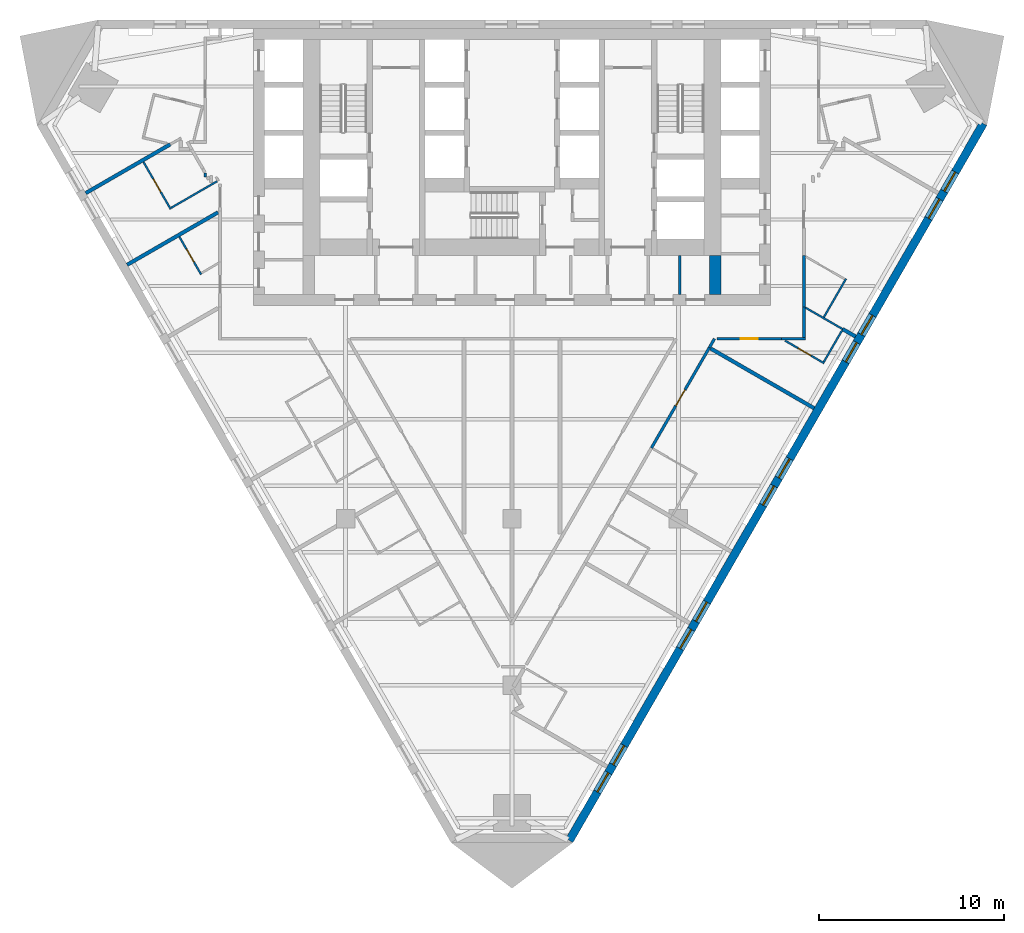
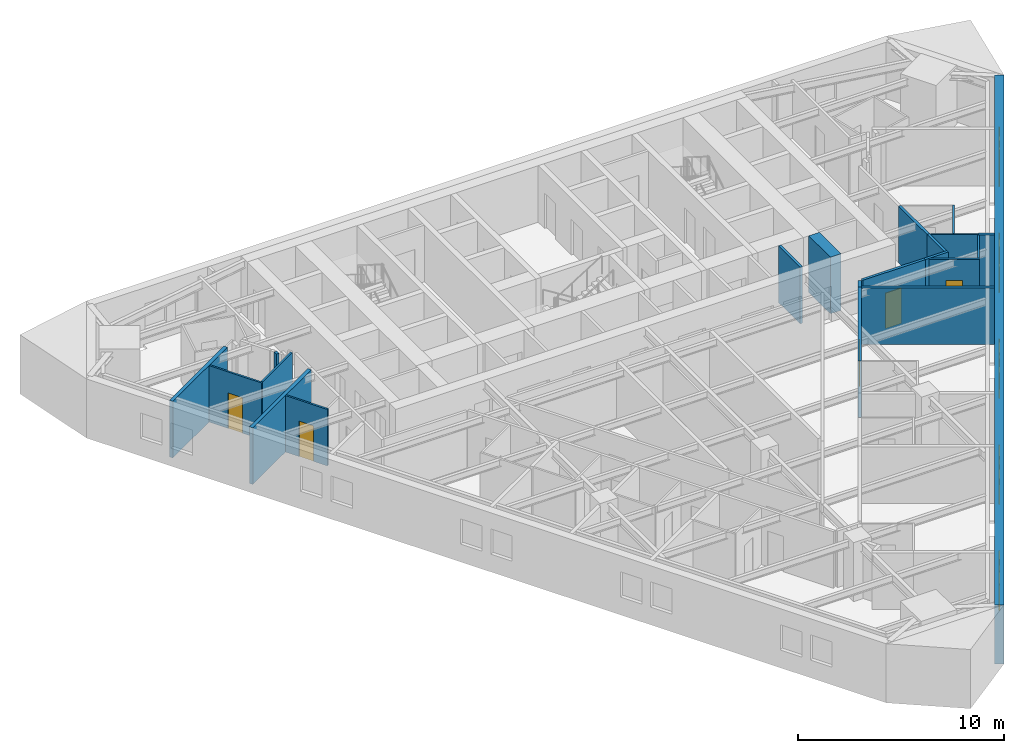
# One storey, part 5 of 10: 21 walls, 10 windows, 5 doors, 15 openings.
"""IFC4 building model written with IfcOpenShell, lengths in metres."""

from ifc_helpers import new_model, si_unit, direction, frame, frame_2d, origin, place, context, subcontext, project, spatial, polyline, rectangle, outline, extrude, material, layer, layer_set, type_object, element, fill, save


model = new_model("IFC4")

# Units and contexts
model_context = context("Model", 3, precision=1e-05, world=origin(), true_north=direction((0.0, 1.0)))
body_context = subcontext(model_context, "Body", "Model", "MODEL_VIEW")
ifc_project = project(units=[si_unit("LENGTHUNIT", "METRE"), si_unit("AREAUNIT", "SQUARE_METRE"), si_unit("VOLUMEUNIT", "CUBIC_METRE"), si_unit("PLANEANGLEUNIT", "RADIAN"), si_unit("MASSUNIT", "GRAM", prefix="KILO")], contexts=[model_context])

# Site, building, storey
site_placement = place(None, origin())
site = spatial("IfcSite", under=ifc_project, at=site_placement, CompositionType="ELEMENT")
building_placement = place(site_placement, origin())
building = spatial("IfcBuilding", under=site, at=building_placement, Name="Aloe Facet Convention Tower", CompositionType="ELEMENT")
storey_placement = place(building_placement, frame((0.0, 0.0, 59.5)))
storey = spatial("IfcBuildingStorey", under=building, at=storey_placement, Name="L13", CompositionType="ELEMENT", Elevation=59.5)

# Walls
ifc_material_1 = material(Name="Concrete blockwork partition", Category="masonry")
ifc_layer_1 = layer(ifc_material_1, 0.14990234375)
ifc_layer_set_1 = layer_set([ifc_layer_1], Name="CR-W-PART150")
wall_type_1 = type_object("IfcWallType", Name="CR-W-PART150", PredefinedType="PARTITIONING", material=ifc_layer_set_1)
wall_1_placement = place(storey_placement, frame((89.074951171875, 122.25, 0.0), z_axis=(0.0, 0.0, 1.0), x_axis=(0.0, -1.0, 0.0)))
element("IfcWall", 1, at=wall_1_placement, inside=storey, type_object=wall_type_1, Name="Core partition L13-046", PredefinedType="PARTITIONING", context=body_context, shape_type="SweptSolid", body=[
    extrude(rectangle(XDim=2.10009765625, YDim=0.14990234375, at=frame_2d((1.050048828125, 0.0))), origin(), (0.0, 0.0, 1.0), 3.35009765625),
])
ifc_material_2 = material(Name="Concrete C80/95", Category="concrete")
ifc_layer_2 = layer(ifc_material_2, 0.60009765625)
ifc_layer_set_2 = layer_set([ifc_layer_2], Name="CR-W-RC600-C8095")
wall_type_2 = type_object("IfcWallType", Name="CR-W-RC600-C8095", PredefinedType="SOLIDWALL", material=ifc_layer_set_2)
wall_2_placement = place(storey_placement, frame((91.0, 122.25, 0.0), z_axis=(0.0, 0.0, 1.0), x_axis=(0.0, -1.0, 0.0)))
element("IfcWall", 2, at=wall_2_placement, inside=storey, type_object=wall_type_2, Name="Core wall L13-048", PredefinedType="SOLIDWALL", context=body_context, shape_type="SweptSolid", body=[
    extrude(rectangle(XDim=2.10009765625, YDim=0.60009765625, at=frame_2d((1.050048828125, 0.0))), origin(), (0.0, 0.0, 1.0), 3.35009765625),
])

# Wall, openings, windows
ifc_material_3 = material(Name="Precast concrete C40/50", Category="concrete")
ifc_layer_3 = layer(ifc_material_3, 0.449951171875)
ifc_layer_set_3 = layer_set([ifc_layer_3], Name="EV-WALL-STONE")
wall_type_3 = type_object("IfcWallType", Name="EV-WALL-STONE", PredefinedType="SOLIDWALL", material=ifc_layer_set_3)
wall_3_placement = place(storey_placement, frame((83.105224609375, 90.598876953125, -0.14990234375), z_axis=(0.0, 0.0, 1.0), x_axis=(0.499999201451, 0.866025864826, 0.0)))
wall_3 = element("IfcWall", 3, at=wall_3_placement, inside=storey, type_object=wall_type_3, Name="EW-L13-E01", PredefinedType="SOLIDWALL", context=body_context, shape_type="SweptSolid", body=[
    extrude(outline(polyline([(44.800048828125, 0.0), (44.800048828125, 3.5), (0.0, 3.5), (0.0, 0.0), (44.800048828125, 0.0)])), frame((0.0, 0.22509765625, 0.0), z_axis=(0.0, -1.0, 0.0), x_axis=(1.0, 0.0, 0.0)), (0.0, 0.0, 1.0), 0.449951171875),
])
opening_1_placement = place(wall_3_placement, frame((3.030029296875, 0.0, 1.050048828125)))
opening_1 = element("IfcOpeningElement", 4, at=opening_1_placement, cuts=wall_3, Name="Opening W-L13-E01", PredefinedType="OPENING", context=body_context, shape_type="SweptSolid", body=[
    extrude(rectangle(XDim=1.199951171875, YDim=1.5, at=frame_2d((0.60009765625, 0.75))), frame((0.0, 0.23486328125, 0.0), z_axis=(0.0, -1.0, 0.0), x_axis=(1.0, 0.0, 0.0)), (0.0, 0.0, 1.0), 0.469970703125),
])
opening_2_placement = place(wall_3_placement, frame((4.72998046875, 0.0, 1.050048828125)))
opening_2 = element("IfcOpeningElement", 5, at=opening_2_placement, cuts=wall_3, Name="Opening W-L13-E02", PredefinedType="OPENING", context=body_context, shape_type="SweptSolid", body=[
    extrude(rectangle(XDim=1.199951171875, YDim=1.5, at=frame_2d((0.60009765625, 0.75))), frame((0.0, 0.23486328125, 0.0), z_axis=(0.0, -1.0, 0.0), x_axis=(1.0, 0.0, 0.0)), (0.0, 0.0, 1.0), 0.469970703125),
])
opening_3_placement = place(wall_3_placement, frame((11.989990234375, 0.0, 1.050048828125)))
opening_3 = element("IfcOpeningElement", 6, at=opening_3_placement, cuts=wall_3, Name="Opening W-L13-E03", PredefinedType="OPENING", context=body_context, shape_type="SweptSolid", body=[
    extrude(rectangle(XDim=1.199951171875, YDim=1.5, at=frame_2d((0.60009765625, 0.75))), frame((0.0, 0.23486328125, 0.0), z_axis=(0.0, -1.0, 0.0), x_axis=(1.0, 0.0, 0.0)), (0.0, 0.0, 1.0), 0.469970703125),
])
opening_4_placement = place(wall_3_placement, frame((13.68994140625, 0.0, 1.050048828125)))
opening_4 = element("IfcOpeningElement", 7, at=opening_4_placement, cuts=wall_3, Name="Opening W-L13-E04", PredefinedType="OPENING", context=body_context, shape_type="SweptSolid", body=[
    extrude(rectangle(XDim=1.199951171875, YDim=1.5, at=frame_2d((0.60009765625, 0.75))), frame((0.0, 0.23486328125, 0.0), z_axis=(0.0, -1.0, 0.0), x_axis=(1.0, 0.0, 0.0)), (0.0, 0.0, 1.0), 0.469970703125),
])
opening_5_placement = place(wall_3_placement, frame((20.949951171875, 0.0, 1.050048828125)))
opening_5 = element("IfcOpeningElement", 8, at=opening_5_placement, cuts=wall_3, Name="Opening W-L13-E05", PredefinedType="OPENING", context=body_context, shape_type="SweptSolid", body=[
    extrude(rectangle(XDim=1.199951171875, YDim=1.5, at=frame_2d((0.60009765625, 0.75))), frame((0.0, 0.23486328125, 0.0), z_axis=(0.0, -1.0, 0.0), x_axis=(1.0, 0.0, 0.0)), (0.0, 0.0, 1.0), 0.469970703125),
])
opening_6_placement = place(wall_3_placement, frame((22.64990234375, 0.0, 1.050048828125)))
opening_6 = element("IfcOpeningElement", 9, at=opening_6_placement, cuts=wall_3, Name="Opening W-L13-E06", PredefinedType="OPENING", context=body_context, shape_type="SweptSolid", body=[
    extrude(rectangle(XDim=1.199951171875, YDim=1.5, at=frame_2d((0.60009765625, 0.75))), frame((0.0, 0.23486328125, 0.0), z_axis=(0.0, -1.0, 0.0), x_axis=(1.0, 0.0, 0.0)), (0.0, 0.0, 1.0), 0.469970703125),
])
opening_7_placement = place(wall_3_placement, frame((29.909912109375, 0.0, 1.050048828125)))
opening_7 = element("IfcOpeningElement", 10, at=opening_7_placement, cuts=wall_3, Name="Opening W-L13-E07", PredefinedType="OPENING", context=body_context, shape_type="SweptSolid", body=[
    extrude(rectangle(XDim=1.199951171875, YDim=1.5, at=frame_2d((0.60009765625, 0.75))), frame((0.0, 0.23486328125, 0.0), z_axis=(0.0, -1.0, 0.0), x_axis=(1.0, 0.0, 0.0)), (0.0, 0.0, 1.0), 0.469970703125),
])
opening_8_placement = place(wall_3_placement, frame((31.610107421875, 0.0, 1.050048828125)))
opening_8 = element("IfcOpeningElement", 11, at=opening_8_placement, cuts=wall_3, Name="Opening W-L13-E08", PredefinedType="OPENING", context=body_context, shape_type="SweptSolid", body=[
    extrude(rectangle(XDim=1.199951171875, YDim=1.5, at=frame_2d((0.60009765625, 0.75))), frame((0.0, 0.23486328125, 0.0), z_axis=(0.0, -1.0, 0.0), x_axis=(1.0, 0.0, 0.0)), (0.0, 0.0, 1.0), 0.469970703125),
])
opening_9_placement = place(wall_3_placement, frame((38.8701171875, 0.0, 1.050048828125)))
opening_9 = element("IfcOpeningElement", 12, at=opening_9_placement, cuts=wall_3, Name="Opening W-L13-E09", PredefinedType="OPENING", context=body_context, shape_type="SweptSolid", body=[
    extrude(rectangle(XDim=1.199951171875, YDim=1.5, at=frame_2d((0.60009765625, 0.75))), frame((0.0, 0.23486328125, 0.0), z_axis=(0.0, -1.0, 0.0), x_axis=(1.0, 0.0, 0.0)), (0.0, 0.0, 1.0), 0.469970703125),
])
opening_10_placement = place(wall_3_placement, frame((40.570068359375, 0.0, 1.050048828125)))
opening_10 = element("IfcOpeningElement", 13, at=opening_10_placement, cuts=wall_3, Name="Opening W-L13-E10", PredefinedType="OPENING", context=body_context, shape_type="SweptSolid", body=[
    extrude(rectangle(XDim=1.199951171875, YDim=1.5, at=frame_2d((0.60009765625, 0.75))), frame((0.0, 0.23486328125, 0.0), z_axis=(0.0, -1.0, 0.0), x_axis=(1.0, 0.0, 0.0)), (0.0, 0.0, 1.0), 0.469970703125),
])
ifc_material_4 = material(Name="Aluminium frame, clear double glazing", Category="aluminium")
window_type = type_object("IfcWindowType", Name="EV-WIN-H12", PartitioningType="SINGLE_PANEL", PredefinedType="WINDOW", material=ifc_material_4)
window_1_placement = place(opening_1_placement, origin())
window_1 = element("IfcWindow", 14, at=window_1_placement, inside=storey, type_object=window_type, Name="W-L13-E01", OverallHeight=1.5, OverallWidth=1.199951171875, PartitioningType="SINGLE_PANEL", PredefinedType="WINDOW", context=body_context, shape_type="SweptSolid", body=[
    extrude(rectangle(XDim=1.199951171875, YDim=1.5, at=frame_2d((0.60009765625, 0.75))), frame((0.0, 0.030029296875, 0.0), z_axis=(0.0, -1.0, 0.0), x_axis=(1.0, 0.0, 0.0)), (0.0, 0.0, 1.0), 0.06005859375),
])
fill(opening_1, window_1)
window_2_placement = place(opening_2_placement, origin())
window_2 = element("IfcWindow", 15, at=window_2_placement, inside=storey, type_object=window_type, Name="W-L13-E02", OverallHeight=1.5, OverallWidth=1.199951171875, PartitioningType="SINGLE_PANEL", PredefinedType="WINDOW", context=body_context, shape_type="SweptSolid", body=[
    extrude(rectangle(XDim=1.199951171875, YDim=1.5, at=frame_2d((0.60009765625, 0.75))), frame((0.0, 0.030029296875, 0.0), z_axis=(0.0, -1.0, 0.0), x_axis=(1.0, 0.0, 0.0)), (0.0, 0.0, 1.0), 0.06005859375),
])
fill(opening_2, window_2)
window_3_placement = place(opening_3_placement, origin())
window_3 = element("IfcWindow", 16, at=window_3_placement, inside=storey, type_object=window_type, Name="W-L13-E03", OverallHeight=1.5, OverallWidth=1.199951171875, PartitioningType="SINGLE_PANEL", PredefinedType="WINDOW", context=body_context, shape_type="SweptSolid", body=[
    extrude(rectangle(XDim=1.199951171875, YDim=1.5, at=frame_2d((0.60009765625, 0.75))), frame((0.0, 0.030029296875, 0.0), z_axis=(0.0, -1.0, 0.0), x_axis=(1.0, 0.0, 0.0)), (0.0, 0.0, 1.0), 0.06005859375),
])
fill(opening_3, window_3)
window_4_placement = place(opening_4_placement, origin())
window_4 = element("IfcWindow", 17, at=window_4_placement, inside=storey, type_object=window_type, Name="W-L13-E04", OverallHeight=1.5, OverallWidth=1.199951171875, PartitioningType="SINGLE_PANEL", PredefinedType="WINDOW", context=body_context, shape_type="SweptSolid", body=[
    extrude(rectangle(XDim=1.199951171875, YDim=1.5, at=frame_2d((0.60009765625, 0.75))), frame((0.0, 0.030029296875, 0.0), z_axis=(0.0, -1.0, 0.0), x_axis=(1.0, 0.0, 0.0)), (0.0, 0.0, 1.0), 0.06005859375),
])
fill(opening_4, window_4)
window_5_placement = place(opening_5_placement, origin())
window_5 = element("IfcWindow", 18, at=window_5_placement, inside=storey, type_object=window_type, Name="W-L13-E05", OverallHeight=1.5, OverallWidth=1.199951171875, PartitioningType="SINGLE_PANEL", PredefinedType="WINDOW", context=body_context, shape_type="SweptSolid", body=[
    extrude(rectangle(XDim=1.199951171875, YDim=1.5, at=frame_2d((0.60009765625, 0.75))), frame((0.0, 0.030029296875, 0.0), z_axis=(0.0, -1.0, 0.0), x_axis=(1.0, 0.0, 0.0)), (0.0, 0.0, 1.0), 0.06005859375),
])
fill(opening_5, window_5)
window_6_placement = place(opening_6_placement, origin())
window_6 = element("IfcWindow", 19, at=window_6_placement, inside=storey, type_object=window_type, Name="W-L13-E06", OverallHeight=1.5, OverallWidth=1.199951171875, PartitioningType="SINGLE_PANEL", PredefinedType="WINDOW", context=body_context, shape_type="SweptSolid", body=[
    extrude(rectangle(XDim=1.199951171875, YDim=1.5, at=frame_2d((0.60009765625, 0.75))), frame((0.0, 0.030029296875, 0.0), z_axis=(0.0, -1.0, 0.0), x_axis=(1.0, 0.0, 0.0)), (0.0, 0.0, 1.0), 0.06005859375),
])
fill(opening_6, window_6)
window_7_placement = place(opening_7_placement, origin())
window_7 = element("IfcWindow", 20, at=window_7_placement, inside=storey, type_object=window_type, Name="W-L13-E07", OverallHeight=1.5, OverallWidth=1.199951171875, PartitioningType="SINGLE_PANEL", PredefinedType="WINDOW", context=body_context, shape_type="SweptSolid", body=[
    extrude(rectangle(XDim=1.199951171875, YDim=1.5, at=frame_2d((0.60009765625, 0.75))), frame((0.0, 0.030029296875, 0.0), z_axis=(0.0, -1.0, 0.0), x_axis=(1.0, 0.0, 0.0)), (0.0, 0.0, 1.0), 0.06005859375),
])
fill(opening_7, window_7)
window_8_placement = place(opening_8_placement, origin())
window_8 = element("IfcWindow", 21, at=window_8_placement, inside=storey, type_object=window_type, Name="W-L13-E08", OverallHeight=1.5, OverallWidth=1.199951171875, PartitioningType="SINGLE_PANEL", PredefinedType="WINDOW", context=body_context, shape_type="SweptSolid", body=[
    extrude(rectangle(XDim=1.199951171875, YDim=1.5, at=frame_2d((0.60009765625, 0.75))), frame((0.0, 0.030029296875, 0.0), z_axis=(0.0, -1.0, 0.0), x_axis=(1.0, 0.0, 0.0)), (0.0, 0.0, 1.0), 0.06005859375),
])
fill(opening_8, window_8)
window_9_placement = place(opening_9_placement, origin())
window_9 = element("IfcWindow", 22, at=window_9_placement, inside=storey, type_object=window_type, Name="W-L13-E09", OverallHeight=1.5, OverallWidth=1.199951171875, PartitioningType="SINGLE_PANEL", PredefinedType="WINDOW", context=body_context, shape_type="SweptSolid", body=[
    extrude(rectangle(XDim=1.199951171875, YDim=1.5, at=frame_2d((0.60009765625, 0.75))), frame((0.0, 0.030029296875, 0.0), z_axis=(0.0, -1.0, 0.0), x_axis=(1.0, 0.0, 0.0)), (0.0, 0.0, 1.0), 0.06005859375),
])
fill(opening_9, window_9)
window_10_placement = place(opening_10_placement, origin())
window_10 = element("IfcWindow", 23, at=window_10_placement, inside=storey, type_object=window_type, Name="W-L13-E10", OverallHeight=1.5, OverallWidth=1.199951171875, PartitioningType="SINGLE_PANEL", PredefinedType="WINDOW", context=body_context, shape_type="SweptSolid", body=[
    extrude(rectangle(XDim=1.199951171875, YDim=1.5, at=frame_2d((0.60009765625, 0.75))), frame((0.0, 0.030029296875, 0.0), z_axis=(0.0, -1.0, 0.0), x_axis=(1.0, 0.0, 0.0)), (0.0, 0.0, 1.0), 0.06005859375),
])
fill(opening_10, window_10)

# Wall, opening, door
ifc_material_5 = material(Name="Gypsum board partition on steel studs", Category="steel")
ifc_layer_4 = layer(ifc_material_5, 0.14990234375)
ifc_layer_set_4 = layer_set([ifc_layer_4], Name="IN-W-CORR")
wall_type_4 = type_object("IfcWallType", Name="IN-W-CORR", PredefinedType="PARTITIONING", material=ifc_layer_set_4)
wall_4_placement = place(storey_placement, frame((87.5478515625, 111.84375, 0.0), z_axis=(0.0, 0.0, 1.0), x_axis=(0.499981277565, 0.866036212918, 0.0)))
wall_4 = element("IfcWall", 24, at=wall_4_placement, inside=storey, type_object=wall_type_4, Name="Partition L13-W059", PredefinedType="PARTITIONING", context=body_context, shape_type="SweptSolid", body=[
    extrude(rectangle(XDim=6.260009765625, YDim=0.14990234375, at=frame_2d((3.1298828125, 0.0))), origin(), (0.0, 0.0, 1.0), 3.35009765625),
])
opening_11_placement = place(wall_4_placement, frame((2.6298828125, 0.0, 0.0)))
opening_11 = element("IfcOpeningElement", 25, at=opening_11_placement, cuts=wall_4, Name="Opening L13-011", PredefinedType="OPENING", context=body_context, shape_type="SweptSolid", body=[
    extrude(rectangle(XDim=1.0, YDim=2.10009765625, at=frame_2d((0.5, 1.050048828125))), frame((0.0, 0.0849609375, 0.0), z_axis=(0.0, -1.0, 0.0), x_axis=(1.0, 0.0, 0.0)), (0.0, 0.0, 1.0), 0.169921875),
])
ifc_material_6 = material(Name="Hardwood flush door FD30S", Category="wood")
door_type_1 = type_object("IfcDoorType", Name="IN-D-WIDE", OperationType="SINGLE_SWING_LEFT", PredefinedType="DOOR", material=ifc_material_6)
door_1_placement = place(opening_11_placement, origin())
door_1 = element("IfcDoor", 26, at=door_1_placement, inside=storey, type_object=door_type_1, Name="Door L13-011", OperationType="SINGLE_SWING_LEFT", OverallHeight=2.10009765625, OverallWidth=1.0, PredefinedType="DOOR", context=body_context, shape_type="SweptSolid", body=[
    extrude(rectangle(XDim=1.0, YDim=2.10009765625, at=frame_2d((0.5, 1.050048828125))), frame((0.0, 0.02490234375, 0.0), z_axis=(0.0, -1.0, 0.0), x_axis=(1.0, 0.0, 0.0)), (0.0, 0.0, 1.0), 0.050048828125),
])
fill(opening_11, door_1)

# Walls
wall_5_placement = place(storey_placement, frame((90.677734375, 117.26513671875, 0.0), z_axis=(0.0, 0.0, 1.0), x_axis=(0.50012503653, 0.865953201874, 0.0)))
element("IfcWall", 27, at=wall_5_placement, inside=storey, type_object=wall_type_4, Name="Partition L13-W067", PredefinedType="PARTITIONING", context=body_context, shape_type="SweptSolid", body=[
    extrude(rectangle(XDim=0.559814453125, YDim=0.14990234375, at=frame_2d((0.27978515625, 0.0))), origin(), (0.0, 0.0, 1.0), 3.35009765625),
])
wall_6_placement = place(storey_placement, frame((94.597900390625, 117.75, 0.0), z_axis=(0.0, 0.0, 1.0), x_axis=(1.0, 0.0, 0.0)))
element("IfcWall", 28, at=wall_6_placement, inside=storey, type_object=wall_type_4, Name="Partition L13-W068", PredefinedType="PARTITIONING", context=body_context, shape_type="SweptSolid", body=[
    extrude(rectangle(XDim=1.277099609375, YDim=0.14990234375, at=frame_2d((0.638671875, 0.0))), origin(), (0.0, 0.0, 1.0), 3.35009765625),
])

# Wall, opening, door
wall_7_placement = place(storey_placement, frame((91.087646484375, 117.75, 0.0), z_axis=(0.0, 0.0, 1.0), x_axis=(1.0, 0.0, 0.0)))
wall_7 = element("IfcWall", 29, at=wall_7_placement, inside=storey, type_object=wall_type_4, Name="Partition L13-W069", PredefinedType="PARTITIONING", context=body_context, shape_type="SweptSolid", body=[
    extrude(rectangle(XDim=3.51025390625, YDim=0.14990234375, at=frame_2d((1.755126953125, 0.0))), origin(), (0.0, 0.0, 1.0), 3.35009765625),
])
opening_12_placement = place(wall_7_placement, frame((1.30517578125, 0.0, 0.0)))
opening_12 = element("IfcOpeningElement", 30, at=opening_12_placement, cuts=wall_7, Name="Opening L13-012", PredefinedType="OPENING", context=body_context, shape_type="SweptSolid", body=[
    extrude(rectangle(XDim=0.89990234375, YDim=2.10009765625, at=frame_2d((0.449951171875, 1.050048828125))), frame((0.0, 0.0849609375, 0.0), z_axis=(0.0, -1.0, 0.0), x_axis=(1.0, 0.0, 0.0)), (0.0, 0.0, 1.0), 0.169921875),
])
ifc_material_7 = material(Name="Hardwood flush door FD30S", Category="wood")
door_type_2 = type_object("IfcDoorType", Name="IN-D-GUEST", OperationType="SINGLE_SWING_LEFT", PredefinedType="DOOR", material=ifc_material_7)
door_2_placement = place(opening_12_placement, origin())
door_2 = element("IfcDoor", 31, at=door_2_placement, inside=storey, type_object=door_type_2, Name="Door L13-012", OperationType="SINGLE_SWING_LEFT", OverallHeight=2.10009765625, OverallWidth=0.89990234375, PredefinedType="DOOR", context=body_context, shape_type="SweptSolid", body=[
    extrude(rectangle(XDim=0.89990234375, YDim=2.10009765625, at=frame_2d((0.449951171875, 1.050048828125))), frame((0.0, 0.02490234375, 0.0), z_axis=(0.0, -1.0, 0.0), x_axis=(1.0, 0.0, 0.0)), (0.0, 0.0, 1.0), 0.050048828125),
])
fill(opening_12, door_2)

# Walls
wall_8_placement = place(storey_placement, frame((95.800048828125, 117.824951171875, 0.0), z_axis=(0.0, 0.0, 1.0), x_axis=(0.0, 1.0, 0.0)))
element("IfcWall", 32, at=wall_8_placement, inside=storey, type_object=wall_type_4, Name="Partition L13-W070", PredefinedType="PARTITIONING", context=body_context, shape_type="SweptSolid", body=[
    extrude(rectangle(XDim=1.65576171875, YDim=0.14990234375, at=frame_2d((0.827880859375, 0.0))), origin(), (0.0, 0.0, 1.0), 3.35009765625),
])
wall_9_placement = place(storey_placement, frame((95.800048828125, 119.480712890625, 0.0), z_axis=(0.0, 0.0, 1.0), x_axis=(0.0, 1.0, 0.0)))
element("IfcWall", 33, at=wall_9_placement, inside=storey, type_object=wall_type_4, Name="Partition L13-W080", PredefinedType="PARTITIONING", context=body_context, shape_type="SweptSolid", body=[
    extrude(rectangle(XDim=2.771484375, YDim=0.14990234375, at=frame_2d((1.3857421875, 0.0))), origin(), (0.0, 0.0, 1.0), 3.35009765625),
])
wall_10_placement = place(storey_placement, frame((63.39990234375, 126.5, 0.0), z_axis=(0.0, 0.0, 1.0), x_axis=(0.0, 1.0, 0.0)))
element("IfcWall", 34, at=wall_10_placement, inside=storey, type_object=wall_type_4, Name="Partition L13-W107", PredefinedType="PARTITIONING", context=body_context, shape_type="SweptSolid", body=[
    extrude(rectangle(XDim=0.220458984375, YDim=0.14990234375, at=frame_2d((0.1103515625, 0.0))), origin(), (0.0, 0.0, 1.0), 3.35009765625),
])

# Wall, opening, door
ifc_material_8 = material(Name="Gypsum board partition on steel studs", Category="steel")
ifc_layer_5 = layer(ifc_material_8, 0.10009765625)
ifc_layer_set_5 = layer_set([ifc_layer_5], Name="IN-W-PART")
wall_type_5 = type_object("IfcWallType", Name="IN-W-PART", PredefinedType="PARTITIONING", material=ifc_layer_set_5)
wall_11_placement = place(storey_placement, frame((94.775390625, 117.6474609375, 0.0), z_axis=(0.0, 0.0, 1.0), x_axis=(0.86604092097, -0.499973122483, 0.0)))
wall_11 = element("IfcWall", 35, at=wall_11_placement, inside=storey, type_object=wall_type_5, Name="Partition L13-W058", PredefinedType="PARTITIONING", context=body_context, shape_type="SweptSolid", body=[
    extrude(rectangle(XDim=2.445068359375, YDim=0.10009765625, at=frame_2d((1.22265625, 0.0))), origin(), (0.0, 0.0, 1.0), 3.35009765625),
])
opening_13_placement = place(wall_11_placement, frame((0.822509765625, 0.0, 0.0)))
opening_13 = element("IfcOpeningElement", 36, at=opening_13_placement, cuts=wall_11, Name="Opening L13-029", PredefinedType="OPENING", context=body_context, shape_type="SweptSolid", body=[
    extrude(rectangle(XDim=0.800048828125, YDim=2.10009765625, at=frame_2d((0.39990234375, 1.050048828125))), frame((0.0, 0.06005859375, 0.0), z_axis=(0.0, -1.0, 0.0), x_axis=(1.0, 0.0, 0.0)), (0.0, 0.0, 1.0), 0.1201171875),
])
ifc_material_9 = material(Name="Timber flush door", Category="wood")
door_type_3 = type_object("IfcDoorType", Name="IN-D-BATH", OperationType="SINGLE_SWING_LEFT", PredefinedType="DOOR", material=ifc_material_9)
door_3_placement = place(opening_13_placement, origin())
door_3 = element("IfcDoor", 37, at=door_3_placement, inside=storey, type_object=door_type_3, Name="Door L13-029", OperationType="SINGLE_SWING_LEFT", OverallHeight=2.10009765625, OverallWidth=0.800048828125, PredefinedType="DOOR", context=body_context, shape_type="SweptSolid", body=[
    extrude(rectangle(XDim=0.800048828125, YDim=2.10009765625, at=frame_2d((0.39990234375, 1.050048828125))), frame((0.0, 0.02490234375, 0.0), z_axis=(0.0, -1.0, 0.0), x_axis=(1.0, 0.0, 0.0)), (0.0, 0.0, 1.0), 0.050048828125),
])
fill(opening_13, door_3)

# Walls
wall_12_placement = place(storey_placement, frame((96.87451171875, 116.493408203125, 0.0), z_axis=(0.0, 0.0, 1.0), x_axis=(0.500043961785, 0.866000020948, 0.0)))
element("IfcWall", 38, at=wall_12_placement, inside=storey, type_object=wall_type_5, Name="Partition L13-W073", PredefinedType="PARTITIONING", context=body_context, shape_type="SweptSolid", body=[
    extrude(rectangle(XDim=1.949951171875, YDim=0.10009765625, at=frame_2d((0.97509765625, 0.0))), origin(), (0.0, 0.0, 1.0), 3.35009765625),
])
wall_13_placement = place(storey_placement, frame((95.88232421875, 119.433349609375, 0.0), z_axis=(0.0, 0.0, 1.0), x_axis=(0.866009305107, -0.50002788269, 0.0)))
element("IfcWall", 39, at=wall_13_placement, inside=storey, type_object=wall_type_5, Name="Partition L13-W077", PredefinedType="PARTITIONING", context=body_context, shape_type="SweptSolid", body=[
    extrude(rectangle(XDim=2.329345703125, YDim=0.10009765625, at=frame_2d((1.16455078125, 0.0))), origin(), (0.0, 0.0, 1.0), 3.35009765625),
])
wall_14_placement = place(storey_placement, frame((96.876708984375, 118.9169921875, 0.0), z_axis=(0.0, 0.0, 1.0), x_axis=(0.500001309137, 0.866024647952, 0.0)))
element("IfcWall", 40, at=wall_14_placement, inside=storey, type_object=wall_type_5, Name="Partition L13-W081", PredefinedType="PARTITIONING", context=body_context, shape_type="SweptSolid", body=[
    extrude(rectangle(XDim=2.39990234375, YDim=0.10009765625, at=frame_2d((1.199951171875, 0.0))), origin(), (0.0, 0.0, 1.0), 3.35009765625),
])

# Wall, opening, door
wall_15_placement = place(storey_placement, frame((61.998291015625, 123.267333984375, 0.0), z_axis=(0.0, 0.0, 1.0), x_axis=(0.500016218704, -0.866016039709, 0.0)))
wall_15 = element("IfcWall", 41, at=wall_15_placement, inside=storey, type_object=wall_type_5, Name="Partition L13-W082", PredefinedType="PARTITIONING", context=body_context, shape_type="SweptSolid", body=[
    extrude(rectangle(XDim=2.35009765625, YDim=0.10009765625, at=frame_2d((1.175048828125, 0.0))), origin(), (0.0, 0.0, 1.0), 3.35009765625),
])
opening_14_placement = place(wall_15_placement, frame((0.77490234375, 0.0, 0.0)))
opening_14 = element("IfcOpeningElement", 42, at=opening_14_placement, cuts=wall_15, Name="Opening L13-021", PredefinedType="OPENING", context=body_context, shape_type="SweptSolid", body=[
    extrude(rectangle(XDim=0.800048828125, YDim=2.10009765625, at=frame_2d((0.39990234375, 1.050048828125))), frame((0.0, 0.06005859375, 0.0), z_axis=(0.0, -1.0, 0.0), x_axis=(1.0, 0.0, 0.0)), (0.0, 0.0, 1.0), 0.1201171875),
])
door_4_placement = place(opening_14_placement, origin())
door_4 = element("IfcDoor", 43, at=door_4_placement, inside=storey, type_object=door_type_3, Name="Door L13-021", OperationType="SINGLE_SWING_LEFT", OverallHeight=2.10009765625, OverallWidth=0.800048828125, PredefinedType="DOOR", context=body_context, shape_type="SweptSolid", body=[
    extrude(rectangle(XDim=0.800048828125, YDim=2.10009765625, at=frame_2d((0.39990234375, 1.050048828125))), frame((0.0, 0.02490234375, 0.0), z_axis=(0.0, -1.0, 0.0), x_axis=(1.0, 0.0, 0.0)), (0.0, 0.0, 1.0), 0.050048828125),
])
fill(opening_14, door_4)

wall_16_placement = place(storey_placement, frame((60.05419921875, 127.31787109375, 0.0), z_axis=(0.0, 0.0, 1.0), x_axis=(0.499939757307, -0.866060182126, 0.0)))
wall_16 = element("IfcWall", 44, at=wall_16_placement, inside=storey, type_object=wall_type_5, Name="Partition L13-W091", PredefinedType="PARTITIONING", context=body_context, shape_type="SweptSolid", body=[
    extrude(rectangle(XDim=2.949951171875, YDim=0.10009765625, at=frame_2d((1.47509765625, 0.0))), origin(), (0.0, 0.0, 1.0), 3.35009765625),
])
opening_15_placement = place(wall_16_placement, frame((1.074951171875, 0.0, 0.0)))
opening_15 = element("IfcOpeningElement", 45, at=opening_15_placement, cuts=wall_16, Name="Opening L13-020", PredefinedType="OPENING", context=body_context, shape_type="SweptSolid", body=[
    extrude(rectangle(XDim=0.800048828125, YDim=2.10009765625, at=frame_2d((0.39990234375, 1.050048828125))), frame((0.0, 0.06005859375, 0.0), z_axis=(0.0, -1.0, 0.0), x_axis=(1.0, 0.0, 0.0)), (0.0, 0.0, 1.0), 0.1201171875),
])
door_5_placement = place(opening_15_placement, origin())
door_5 = element("IfcDoor", 46, at=door_5_placement, inside=storey, type_object=door_type_3, Name="Door L13-020", OperationType="SINGLE_SWING_LEFT", OverallHeight=2.10009765625, OverallWidth=0.800048828125, PredefinedType="DOOR", context=body_context, shape_type="SweptSolid", body=[
    extrude(rectangle(XDim=0.800048828125, YDim=2.10009765625, at=frame_2d((0.39990234375, 1.050048828125))), frame((0.0, 0.02490234375, 0.0), z_axis=(0.0, -1.0, 0.0), x_axis=(1.0, 0.0, 0.0)), (0.0, 0.0, 1.0), 0.050048828125),
])
fill(opening_15, door_5)

# Walls
wall_17_placement = place(storey_placement, frame((61.55615234375, 124.83642578125, 0.0), z_axis=(0.0, 0.0, 1.0), x_axis=(0.866026637627, 0.499997862916, 0.0)))
element("IfcWall", 47, at=wall_17_placement, inside=storey, type_object=wall_type_5, Name="Partition L13-W097", PredefinedType="PARTITIONING", context=body_context, shape_type="SweptSolid", body=[
    extrude(rectangle(XDim=2.86474609375, YDim=0.10009765625, at=frame_2d((1.432373046875, 0.0))), origin(), (0.0, 0.0, 1.0), 3.35009765625),
])
ifc_material_10 = material(Name="Gypsum board partition on steel studs", Category="steel")
ifc_layer_6 = layer(ifc_material_10, 0.199951171875)
ifc_layer_set_6 = layer_set([ifc_layer_6], Name="IN-W-PARTY")
wall_type_6 = type_object("IfcWallType", Name="IN-W-PARTY", PredefinedType="PARTITIONING", material=ifc_layer_set_6)
wall_18_placement = place(storey_placement, frame((90.75146484375, 117.22265625, 0.0), z_axis=(0.0, 0.0, 1.0), x_axis=(0.866015162859, -0.500017737384, 0.0)))
element("IfcWall", 48, at=wall_18_placement, inside=storey, type_object=wall_type_6, Name="Partition L13-W054", PredefinedType="PARTITIONING", context=body_context, shape_type="SweptSolid", body=[
    extrude(rectangle(XDim=6.465087890625, YDim=0.199951171875, at=frame_2d((3.232421875, 0.0))), origin(), (0.0, 0.0, 1.0), 3.35009765625),
])
wall_19_placement = place(storey_placement, frame((97.899658203125, 118.2685546875, 0.0), z_axis=(0.0, 0.0, 1.0), x_axis=(0.866068339032, -0.499925626596, 0.0)))
element("IfcWall", 49, at=wall_19_placement, inside=storey, type_object=wall_type_6, Name="Partition L13-W072", PredefinedType="PARTITIONING", context=body_context, shape_type="SweptSolid", body=[
    extrude(rectangle(XDim=0.79736328125, YDim=0.199951171875, at=frame_2d((0.398681640625, 0.0))), origin(), (0.0, 0.0, 1.0), 3.35009765625),
])
wall_20_placement = place(storey_placement, frame((59.169677734375, 121.749755859375, 0.0), z_axis=(0.0, 0.0, 1.0), x_axis=(0.866043237112, 0.499969110498, 0.0)))
element("IfcWall", 50, at=wall_20_placement, inside=storey, type_object=wall_type_6, Name="Partition L13-W083", PredefinedType="PARTITIONING", context=body_context, shape_type="SweptSolid", body=[
    extrude(rectangle(XDim=5.683349609375, YDim=0.199951171875, at=frame_2d((2.841796875, 0.0))), origin(), (0.0, 0.0, 1.0), 3.35009765625),
])
wall_21_placement = place(storey_placement, frame((56.9296875, 125.62939453125, 0.0), z_axis=(0.0, 0.0, 1.0), x_axis=(0.866030315638, 0.499991492324, 0.0)))
element("IfcWall", 51, at=wall_21_placement, inside=storey, type_object=wall_type_6, Name="Partition L13-W092", PredefinedType="PARTITIONING", context=body_context, shape_type="SweptSolid", body=[
    extrude(rectangle(XDim=5.2890625, YDim=0.199951171875, at=frame_2d((2.64453125, 0.0))), origin(), (0.0, 0.0, 1.0), 3.35009765625),
])

save(model, "model.ifc")
